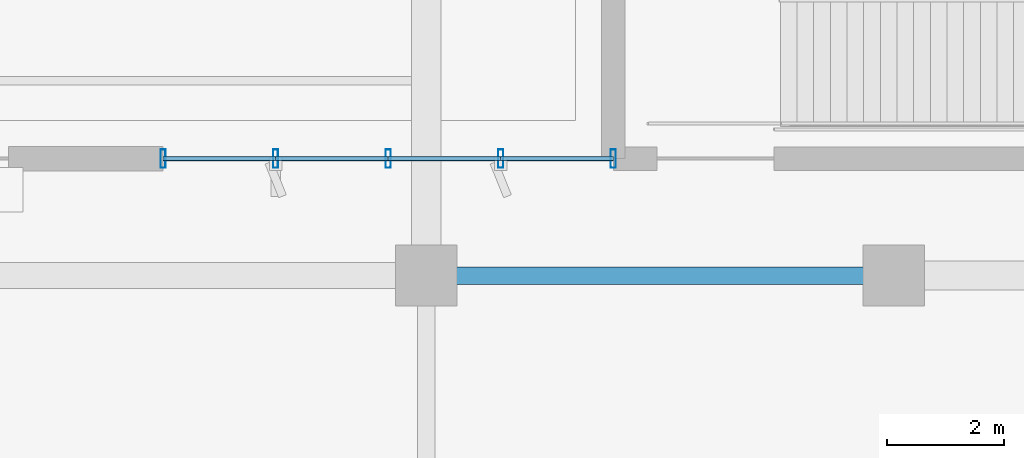
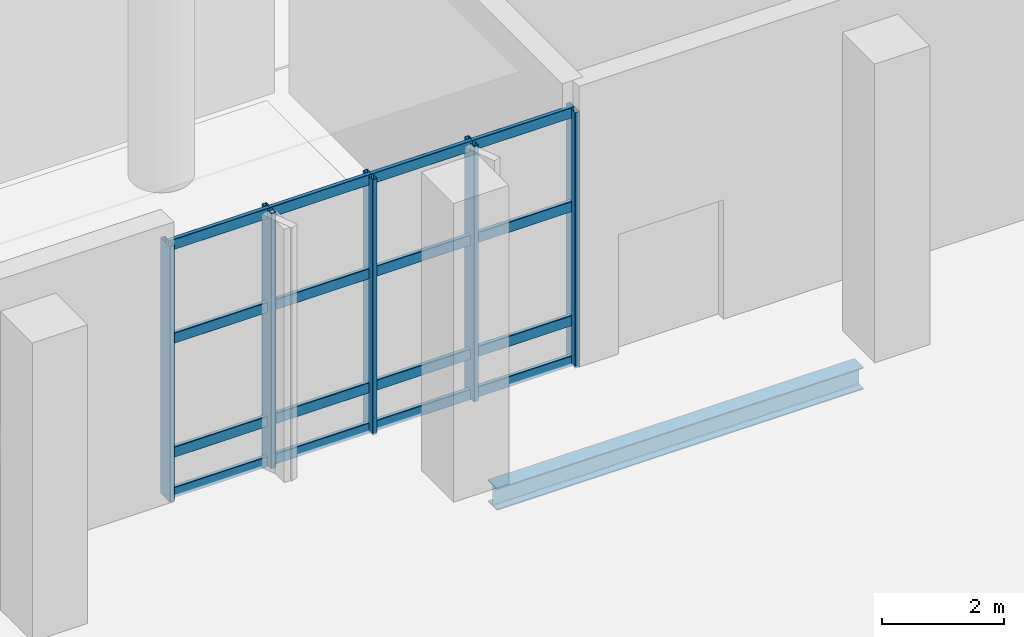
# One storey, part 39 of 163: 21 members, 1 beam, 1 element without a shape of its own.
"""IFC4 building model written with IfcOpenShell, lengths in metres."""

from ifc_helpers import new_model, si_unit, direction, frame, origin, origin_2d, place, context, subcontext, project, spatial, hollow_rectangle, i_section, extrude, material, layer, layer_set, material_profile, profile_set, type_object, element, aggregate, save


model = new_model("IFC4")

# Units and contexts
model_context = context("Model", 3, precision=1e-05, world=origin(), true_north=direction((0.0, 1.0)))
body_context = subcontext(model_context, "Body", "Model", "MODEL_VIEW")
ifc_project = project(units=[si_unit("LENGTHUNIT", "METRE"), si_unit("AREAUNIT", "SQUARE_METRE"), si_unit("VOLUMEUNIT", "CUBIC_METRE"), si_unit("PLANEANGLEUNIT", "RADIAN"), si_unit("MASSUNIT", "GRAM", prefix="KILO")], contexts=[model_context])

# Site, building, storey
site_placement = place(None, origin())
site = spatial("IfcSite", under=ifc_project, at=site_placement, CompositionType="ELEMENT")
building_placement = place(site_placement, origin())
building = spatial("IfcBuilding", under=site, at=building_placement, Name="Khorjan Park Terminus", CompositionType="ELEMENT")
storey_placement = place(building_placement, origin())
storey = spatial("IfcBuildingStorey", under=building, at=storey_placement, Name="L00", CompositionType="ELEMENT", Elevation=0.0)

# Beam
ifc_material_1 = material(Name="Steel S355", Category="steel")
ifc_material_profile_1 = material_profile(ifc_material_1, i_section(OverallWidth=0.3, OverallDepth=0.44, WebThickness=0.0115, FlangeThickness=0.021, FilletRadius=0.027, at=origin_2d()), Name="HEA 450")
ifc_profile_set_1 = profile_set([ifc_material_profile_1], Name="Steel S355")
beam_type = type_object("IfcBeamType", Name="BM-HEA450", PredefinedType="BEAM", material=ifc_profile_set_1)
beam_placement = place(storey_placement, frame((112.52, 26.0, -0.54), z_axis=(1.0, 0.0, 0.0), x_axis=(0.0, 1.0, 0.0)))
element("IfcBeam", 1, at=beam_placement, inside=storey, type_object=beam_type, Name="Primary floor girder SB-A45 (L00)", PredefinedType="BEAM", context=body_context, shape_type="SweptSolid", body=[
    extrude(i_section(OverallWidth=0.3, OverallDepth=0.44, WebThickness=0.0115, FlangeThickness=0.021, FilletRadius=0.027, at=origin_2d()), origin(), (0.0, 0.0, 1.0), 6.96),
])

# Curtain wall, members
ifc_material_2 = material(Name="Anodized Bronze Aluminium", Category="aluminium")
ifc_layer = layer(ifc_material_2, 0.22)
ifc_layer_set = layer_set([ifc_layer], Name="Anodized Bronze Aluminium")
curtain_wall_type = type_object("IfcCurtainWallType", Name="CW-CONC-A", PredefinedType="NOTDEFINED", material=ifc_layer_set)
curtain_wall_placement = place(storey_placement, origin())
curtain_wall = element("IfcCurtainWall", 2, at=curtain_wall_placement, inside=storey, type_object=curtain_wall_type, Name="Unitized curtain wall CW-A (CW-V2-S-L00-07)", PredefinedType="NOTDEFINED")
ifc_material_profile_2 = material_profile(ifc_material_2, hollow_rectangle(XDim=0.09, YDim=0.32, WallThickness=0.006, InnerFilletRadius=0.006, OuterFilletRadius=0.012, at=origin_2d()), Name="ALM 90x320x6")
ifc_profile_set_2 = profile_set([ifc_material_profile_2], Name="Anodized Bronze Aluminium")
member_type_1 = type_object("IfcMemberType", Name="ML-ALM-320", PredefinedType="MULLION", material=ifc_profile_set_2)
member_1_placement = place(storey_placement, frame((107.5, 28.0, -0.035), z_axis=(0.0, 0.0, 1.0), x_axis=(1.0, 0.0, 0.0)))
member_1 = element("IfcMember", 3, at=member_1_placement, type_object=member_type_1, Name="Curtain-wall mullion ML-32 (CW-V2-S-L00-07-0)", PredefinedType="MULLION", context=body_context, shape_type="SweptSolid", body=[
    extrude(hollow_rectangle(XDim=0.09, YDim=0.32, WallThickness=0.006, InnerFilletRadius=0.006, OuterFilletRadius=0.012, at=origin_2d()), origin(), (0.0, 0.0, 1.0), 5.135),
])
member_2_placement = place(storey_placement, frame((109.425, 28.0, -0.035), z_axis=(0.0, 0.0, 1.0), x_axis=(1.0, 0.0, 0.0)))
member_2 = element("IfcMember", 4, at=member_2_placement, type_object=member_type_1, Name="Curtain-wall mullion ML-32 (CW-V2-S-L00-07-1)", PredefinedType="MULLION", context=body_context, shape_type="SweptSolid", body=[
    extrude(hollow_rectangle(XDim=0.09, YDim=0.32, WallThickness=0.006, InnerFilletRadius=0.006, OuterFilletRadius=0.012, at=origin_2d()), origin(), (0.0, 0.0, 1.0), 5.135),
])
member_3_placement = place(storey_placement, frame((111.35, 28.0, -0.035), z_axis=(0.0, 0.0, 1.0), x_axis=(1.0, 0.0, 0.0)))
member_3 = element("IfcMember", 5, at=member_3_placement, type_object=member_type_1, Name="Curtain-wall mullion ML-32 (CW-V2-S-L00-07-2)", PredefinedType="MULLION", context=body_context, shape_type="SweptSolid", body=[
    extrude(hollow_rectangle(XDim=0.09, YDim=0.32, WallThickness=0.006, InnerFilletRadius=0.006, OuterFilletRadius=0.012, at=origin_2d()), origin(), (0.0, 0.0, 1.0), 5.135),
])
member_4_placement = place(storey_placement, frame((113.275, 28.0, -0.035), z_axis=(0.0, 0.0, 1.0), x_axis=(1.0, 0.0, 0.0)))
member_4 = element("IfcMember", 6, at=member_4_placement, type_object=member_type_1, Name="Curtain-wall mullion ML-32 (CW-V2-S-L00-07-3)", PredefinedType="MULLION", context=body_context, shape_type="SweptSolid", body=[
    extrude(hollow_rectangle(XDim=0.09, YDim=0.32, WallThickness=0.006, InnerFilletRadius=0.006, OuterFilletRadius=0.012, at=origin_2d()), origin(), (0.0, 0.0, 1.0), 5.135),
])
member_5_placement = place(storey_placement, frame((115.2, 28.0, -0.035), z_axis=(0.0, 0.0, 1.0), x_axis=(1.0, 0.0, 0.0)))
member_5 = element("IfcMember", 7, at=member_5_placement, type_object=member_type_1, Name="Curtain-wall mullion ML-32 (CW-V2-S-L00-07-4)", PredefinedType="MULLION", context=body_context, shape_type="SweptSolid", body=[
    extrude(hollow_rectangle(XDim=0.09, YDim=0.32, WallThickness=0.006, InnerFilletRadius=0.006, OuterFilletRadius=0.012, at=origin_2d()), origin(), (0.0, 0.0, 1.0), 5.135),
])
ifc_material_profile_3 = material_profile(ifc_material_2, hollow_rectangle(XDim=0.08, YDim=0.21, WallThickness=0.005, InnerFilletRadius=0.005, OuterFilletRadius=0.01, at=origin_2d()), Name="ALT 80x210x5")
ifc_profile_set_3 = profile_set([ifc_material_profile_3], Name="Anodized Bronze Aluminium")
member_type_2 = type_object("IfcMemberType", Name="TR-ALT-210", PredefinedType="USERDEFINED", material=ifc_profile_set_3)
member_6_placement = place(storey_placement, frame((107.5, 28.0, 0.04), z_axis=(1.0, 0.0, 0.0), x_axis=(0.0, 1.0, 0.0)))
member_6 = element("IfcMember", 8, at=member_6_placement, type_object=member_type_2, Name="Curtain-wall transom TR-21 (CW-V2-S-L00-07-0-1)", ObjectType="TRANSOM", PredefinedType="USERDEFINED", context=body_context, shape_type="SweptSolid", body=[
    extrude(hollow_rectangle(XDim=0.08, YDim=0.21, WallThickness=0.005, InnerFilletRadius=0.005, OuterFilletRadius=0.01, at=origin_2d()), origin(), (0.0, 0.0, 1.0), 1.925),
])
member_7_placement = place(storey_placement, frame((107.5, 28.0, 0.85), z_axis=(1.0, 0.0, 0.0), x_axis=(0.0, 1.0, 0.0)))
member_7 = element("IfcMember", 9, at=member_7_placement, type_object=member_type_2, Name="Curtain-wall transom TR-21 (CW-V2-S-L00-07-0-2)", ObjectType="TRANSOM", PredefinedType="USERDEFINED", context=body_context, shape_type="SweptSolid", body=[
    extrude(hollow_rectangle(XDim=0.08, YDim=0.21, WallThickness=0.005, InnerFilletRadius=0.005, OuterFilletRadius=0.01, at=origin_2d()), origin(), (0.0, 0.0, 1.0), 1.925),
])
member_8_placement = place(storey_placement, frame((107.5, 28.0, 3.1403), z_axis=(1.0, 0.0, 0.0), x_axis=(0.0, 1.0, 0.0)))
member_8 = element("IfcMember", 10, at=member_8_placement, type_object=member_type_2, Name="Curtain-wall transom TR-21 (CW-V2-S-L00-07-0-3)", ObjectType="TRANSOM", PredefinedType="USERDEFINED", context=body_context, shape_type="SweptSolid", body=[
    extrude(hollow_rectangle(XDim=0.08, YDim=0.21, WallThickness=0.005, InnerFilletRadius=0.005, OuterFilletRadius=0.01, at=origin_2d()), origin(), (0.0, 0.0, 1.0), 1.925),
])
member_9_placement = place(storey_placement, frame((107.5, 28.0, 5.025), z_axis=(1.0, 0.0, 0.0), x_axis=(0.0, 1.0, 0.0)))
member_9 = element("IfcMember", 11, at=member_9_placement, type_object=member_type_2, Name="Curtain-wall transom TR-21 (CW-V2-S-L00-07-0-4)", ObjectType="TRANSOM", PredefinedType="USERDEFINED", context=body_context, shape_type="SweptSolid", body=[
    extrude(hollow_rectangle(XDim=0.08, YDim=0.21, WallThickness=0.005, InnerFilletRadius=0.005, OuterFilletRadius=0.01, at=origin_2d()), origin(), (0.0, 0.0, 1.0), 1.925),
])
member_10_placement = place(storey_placement, frame((109.425, 28.0, 0.04), z_axis=(1.0, 0.0, 0.0), x_axis=(0.0, 1.0, 0.0)))
member_10 = element("IfcMember", 12, at=member_10_placement, type_object=member_type_2, Name="Curtain-wall transom TR-21 (CW-V2-S-L00-07-1-1)", ObjectType="TRANSOM", PredefinedType="USERDEFINED", context=body_context, shape_type="SweptSolid", body=[
    extrude(hollow_rectangle(XDim=0.08, YDim=0.21, WallThickness=0.005, InnerFilletRadius=0.005, OuterFilletRadius=0.01, at=origin_2d()), origin(), (0.0, 0.0, 1.0), 1.925),
])
member_11_placement = place(storey_placement, frame((109.425, 28.0, 0.85), z_axis=(1.0, 0.0, 0.0), x_axis=(0.0, 1.0, 0.0)))
member_11 = element("IfcMember", 13, at=member_11_placement, type_object=member_type_2, Name="Curtain-wall transom TR-21 (CW-V2-S-L00-07-1-2)", ObjectType="TRANSOM", PredefinedType="USERDEFINED", context=body_context, shape_type="SweptSolid", body=[
    extrude(hollow_rectangle(XDim=0.08, YDim=0.21, WallThickness=0.005, InnerFilletRadius=0.005, OuterFilletRadius=0.01, at=origin_2d()), origin(), (0.0, 0.0, 1.0), 1.925),
])
member_12_placement = place(storey_placement, frame((109.425, 28.0, 3.1403), z_axis=(1.0, 0.0, 0.0), x_axis=(0.0, 1.0, 0.0)))
member_12 = element("IfcMember", 14, at=member_12_placement, type_object=member_type_2, Name="Curtain-wall transom TR-21 (CW-V2-S-L00-07-1-3)", ObjectType="TRANSOM", PredefinedType="USERDEFINED", context=body_context, shape_type="SweptSolid", body=[
    extrude(hollow_rectangle(XDim=0.08, YDim=0.21, WallThickness=0.005, InnerFilletRadius=0.005, OuterFilletRadius=0.01, at=origin_2d()), origin(), (0.0, 0.0, 1.0), 1.925),
])
member_13_placement = place(storey_placement, frame((109.425, 28.0, 5.025), z_axis=(1.0, 0.0, 0.0), x_axis=(0.0, 1.0, 0.0)))
member_13 = element("IfcMember", 15, at=member_13_placement, type_object=member_type_2, Name="Curtain-wall transom TR-21 (CW-V2-S-L00-07-1-4)", ObjectType="TRANSOM", PredefinedType="USERDEFINED", context=body_context, shape_type="SweptSolid", body=[
    extrude(hollow_rectangle(XDim=0.08, YDim=0.21, WallThickness=0.005, InnerFilletRadius=0.005, OuterFilletRadius=0.01, at=origin_2d()), origin(), (0.0, 0.0, 1.0), 1.925),
])
member_14_placement = place(storey_placement, frame((111.35, 28.0, 0.04), z_axis=(1.0, 0.0, 0.0), x_axis=(0.0, 1.0, 0.0)))
member_14 = element("IfcMember", 16, at=member_14_placement, type_object=member_type_2, Name="Curtain-wall transom TR-21 (CW-V2-S-L00-07-2-1)", ObjectType="TRANSOM", PredefinedType="USERDEFINED", context=body_context, shape_type="SweptSolid", body=[
    extrude(hollow_rectangle(XDim=0.08, YDim=0.21, WallThickness=0.005, InnerFilletRadius=0.005, OuterFilletRadius=0.01, at=origin_2d()), origin(), (0.0, 0.0, 1.0), 1.925),
])
member_15_placement = place(storey_placement, frame((111.35, 28.0, 0.85), z_axis=(1.0, 0.0, 0.0), x_axis=(0.0, 1.0, 0.0)))
member_15 = element("IfcMember", 17, at=member_15_placement, type_object=member_type_2, Name="Curtain-wall transom TR-21 (CW-V2-S-L00-07-2-2)", ObjectType="TRANSOM", PredefinedType="USERDEFINED", context=body_context, shape_type="SweptSolid", body=[
    extrude(hollow_rectangle(XDim=0.08, YDim=0.21, WallThickness=0.005, InnerFilletRadius=0.005, OuterFilletRadius=0.01, at=origin_2d()), origin(), (0.0, 0.0, 1.0), 1.925),
])
member_16_placement = place(storey_placement, frame((111.35, 28.0, 3.1403), z_axis=(1.0, 0.0, 0.0), x_axis=(0.0, 1.0, 0.0)))
member_16 = element("IfcMember", 18, at=member_16_placement, type_object=member_type_2, Name="Curtain-wall transom TR-21 (CW-V2-S-L00-07-2-3)", ObjectType="TRANSOM", PredefinedType="USERDEFINED", context=body_context, shape_type="SweptSolid", body=[
    extrude(hollow_rectangle(XDim=0.08, YDim=0.21, WallThickness=0.005, InnerFilletRadius=0.005, OuterFilletRadius=0.01, at=origin_2d()), origin(), (0.0, 0.0, 1.0), 1.925),
])
member_17_placement = place(storey_placement, frame((111.35, 28.0, 5.025), z_axis=(1.0, 0.0, 0.0), x_axis=(0.0, 1.0, 0.0)))
member_17 = element("IfcMember", 19, at=member_17_placement, type_object=member_type_2, Name="Curtain-wall transom TR-21 (CW-V2-S-L00-07-2-4)", ObjectType="TRANSOM", PredefinedType="USERDEFINED", context=body_context, shape_type="SweptSolid", body=[
    extrude(hollow_rectangle(XDim=0.08, YDim=0.21, WallThickness=0.005, InnerFilletRadius=0.005, OuterFilletRadius=0.01, at=origin_2d()), origin(), (0.0, 0.0, 1.0), 1.925),
])
member_18_placement = place(storey_placement, frame((113.275, 28.0, 0.04), z_axis=(1.0, 0.0, 0.0), x_axis=(0.0, 1.0, 0.0)))
member_18 = element("IfcMember", 20, at=member_18_placement, type_object=member_type_2, Name="Curtain-wall transom TR-21 (CW-V2-S-L00-07-3-1)", ObjectType="TRANSOM", PredefinedType="USERDEFINED", context=body_context, shape_type="SweptSolid", body=[
    extrude(hollow_rectangle(XDim=0.08, YDim=0.21, WallThickness=0.005, InnerFilletRadius=0.005, OuterFilletRadius=0.01, at=origin_2d()), origin(), (0.0, 0.0, 1.0), 1.925),
])
member_19_placement = place(storey_placement, frame((113.275, 28.0, 0.85), z_axis=(1.0, 0.0, 0.0), x_axis=(0.0, 1.0, 0.0)))
member_19 = element("IfcMember", 21, at=member_19_placement, type_object=member_type_2, Name="Curtain-wall transom TR-21 (CW-V2-S-L00-07-3-2)", ObjectType="TRANSOM", PredefinedType="USERDEFINED", context=body_context, shape_type="SweptSolid", body=[
    extrude(hollow_rectangle(XDim=0.08, YDim=0.21, WallThickness=0.005, InnerFilletRadius=0.005, OuterFilletRadius=0.01, at=origin_2d()), origin(), (0.0, 0.0, 1.0), 1.925),
])
member_20_placement = place(storey_placement, frame((113.275, 28.0, 3.1403), z_axis=(1.0, 0.0, 0.0), x_axis=(0.0, 1.0, 0.0)))
member_20 = element("IfcMember", 22, at=member_20_placement, type_object=member_type_2, Name="Curtain-wall transom TR-21 (CW-V2-S-L00-07-3-3)", ObjectType="TRANSOM", PredefinedType="USERDEFINED", context=body_context, shape_type="SweptSolid", body=[
    extrude(hollow_rectangle(XDim=0.08, YDim=0.21, WallThickness=0.005, InnerFilletRadius=0.005, OuterFilletRadius=0.01, at=origin_2d()), origin(), (0.0, 0.0, 1.0), 1.925),
])
member_21_placement = place(storey_placement, frame((113.275, 28.0, 5.025), z_axis=(1.0, 0.0, 0.0), x_axis=(0.0, 1.0, 0.0)))
member_21 = element("IfcMember", 23, at=member_21_placement, type_object=member_type_2, Name="Curtain-wall transom TR-21 (CW-V2-S-L00-07-3-4)", ObjectType="TRANSOM", PredefinedType="USERDEFINED", context=body_context, shape_type="SweptSolid", body=[
    extrude(hollow_rectangle(XDim=0.08, YDim=0.21, WallThickness=0.005, InnerFilletRadius=0.005, OuterFilletRadius=0.01, at=origin_2d()), origin(), (0.0, 0.0, 1.0), 1.925),
])
aggregate(curtain_wall, [member_1, member_2, member_3, member_4, member_5, member_6, member_7, member_8, member_9, member_10, member_11, member_12, member_13, member_14, member_15, member_16, member_17, member_18, member_19, member_20, member_21])

save(model, "model.ifc")
